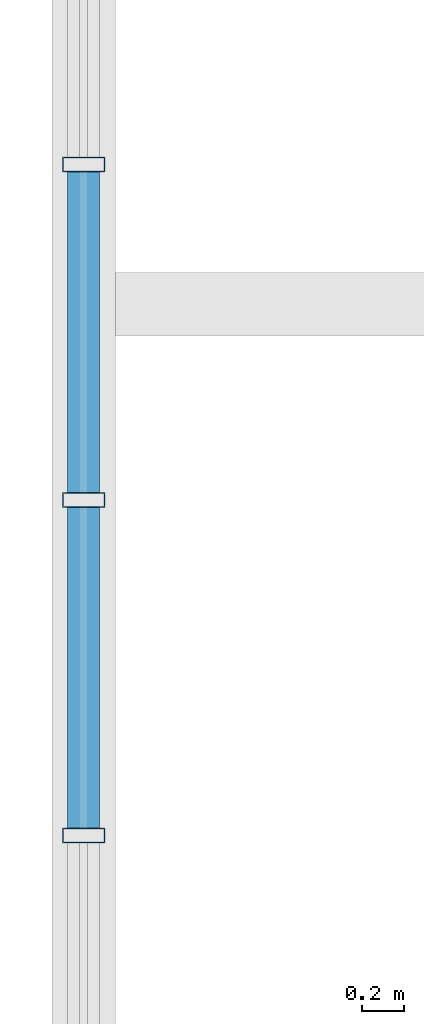
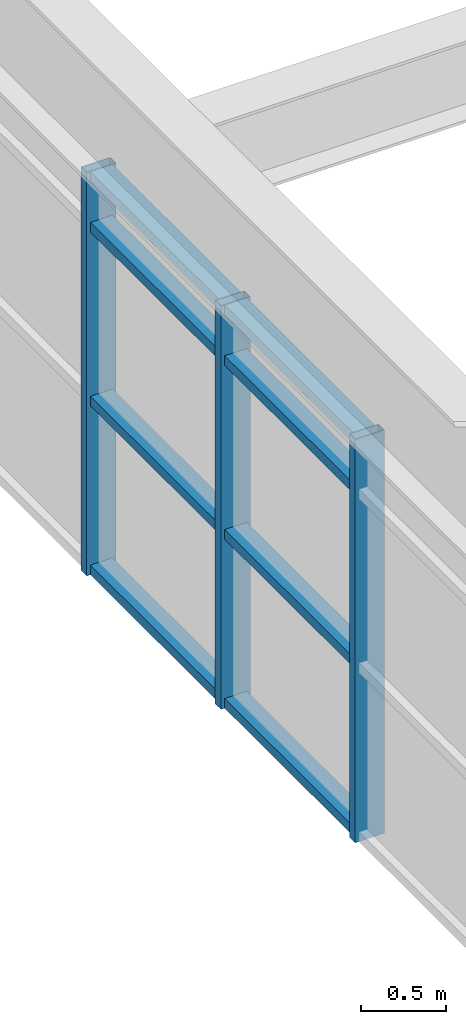
# One storey, part 9 of 28: 11 members, 1 element without a shape of its own.
"""IFC4 building model written with IfcOpenShell, lengths in metres."""

from ifc_helpers import new_model, si_unit, direction, frame, origin, origin_2d, place, context, subcontext, project, spatial, hollow_rectangle, extrude, source, transform, mapped, material, layer, layer_set, material_profile, profile_set, type_object, element, aggregate, save


model = new_model("IFC4")

# Units and contexts
model_context = context("Model", 3, precision=1e-05, world=origin(), true_north=direction((0.0, 1.0)))
body_context = subcontext(model_context, "Body", "Model", "MODEL_VIEW")
ifc_project = project(units=[si_unit("LENGTHUNIT", "METRE"), si_unit("AREAUNIT", "SQUARE_METRE"), si_unit("VOLUMEUNIT", "CUBIC_METRE"), si_unit("PLANEANGLEUNIT", "RADIAN"), si_unit("MASSUNIT", "GRAM", prefix="KILO")], contexts=[model_context])

# Site, building, storey
site_placement = place(None, origin())
site = spatial("IfcSite", under=ifc_project, at=site_placement, CompositionType="ELEMENT")
building_placement = place(site_placement, origin())
building = spatial("IfcBuilding", under=site, at=building_placement, Name="Saelheon Loggia Tower", CompositionType="ELEMENT")
storey_placement = place(building_placement, frame((0.0, 0.0, 271.199951171875)))
storey = spatial("IfcBuildingStorey", under=building, at=storey_placement, Name="CR6", CompositionType="ELEMENT", Elevation=271.199951171875)

# Curtain wall, members
ifc_material_1 = material(Name="Bronze-Anodised Aluminium and Fritted Ceramic Screen", Category="aluminium")
ifc_layer = layer(ifc_material_1, 0.219970703125)
ifc_layer_set = layer_set([ifc_layer], Name="Bronze-Anodised Aluminium and Fritted Ceramic Screen")
curtain_wall_type = type_object("IfcCurtainWallType", Name="CW_CrownScreen", PredefinedType="NOTDEFINED", material=ifc_layer_set)
curtain_wall_placement = place(storey_placement, origin())
curtain_wall = element("IfcCurtainWall", 1, at=curtain_wall_placement, inside=storey, type_object=curtain_wall_type, Name="CR6 Crown Screen Curtain Wall 9-2", PredefinedType="NOTDEFINED")
ifc_material_2 = material(Name="Bronze-Anodised Aluminium 6063-T6", Category="aluminium")
ifc_material_profile_1 = material_profile(ifc_material_2, hollow_rectangle(XDim=0.070068359375, YDim=0.14990234375, WallThickness=0.0048828125, at=origin_2d()), Name="RHS-150x70x5")
ifc_profile_set_1 = profile_set([ifc_material_profile_1], Name="Bronze-Anodised Aluminium 6063-T6")
member_type_1 = type_object("IfcMemberType", Name="CW_CrownScreen_Transom", PredefinedType="USERDEFINED", material=ifc_profile_set_1)
shared_shape_1 = source(origin(), body_context, "Body", "SweptSolid", [
    extrude(hollow_rectangle(XDim=0.070068359375, YDim=0.14990234375, WallThickness=0.0048828125, at=origin_2d()), origin(), (0.0, 0.0, 1.0), 1.51171875),
])
member_1_placement = place(storey_placement, frame((23.35009765625, 26.174072265625, 0.03515625), z_axis=(0.0, -1.0, 0.0), x_axis=(0.0, 0.0, 1.0)))
member_1 = element("IfcMember", 2, at=member_1_placement, type_object=member_type_1, Name="CW6 transom 7.1", ObjectType="TRANSOM", PredefinedType="USERDEFINED", context=body_context, shape_type="MappedRepresentation", body=[
    mapped(shared_shape_1, transform((0.0, 0.0, 0.0), scale=1.0)),
])
member_2_placement = place(storey_placement, frame((23.35009765625, 26.174072265625, 1.25), z_axis=(0.0, -1.0, 0.0), x_axis=(0.0, 0.0, 1.0)))
member_2 = element("IfcMember", 3, at=member_2_placement, type_object=member_type_1, Name="CW6 transom 7.2", ObjectType="TRANSOM", PredefinedType="USERDEFINED", context=body_context, shape_type="MappedRepresentation", body=[
    mapped(shared_shape_1, transform((0.0, 0.0, 0.0), scale=1.0)),
])
member_3_placement = place(storey_placement, frame((23.35009765625, 26.174072265625, 2.5), z_axis=(0.0, -1.0, 0.0), x_axis=(0.0, 0.0, 1.0)))
member_3 = element("IfcMember", 4, at=member_3_placement, type_object=member_type_1, Name="CW6 transom 7.3", ObjectType="TRANSOM", PredefinedType="USERDEFINED", context=body_context, shape_type="MappedRepresentation", body=[
    mapped(shared_shape_1, transform((0.0, 0.0, 0.0), scale=1.0)),
])
member_4_placement = place(storey_placement, frame((23.35009765625, 26.174072265625, 2.864990234375), z_axis=(0.0, -1.0, 0.0), x_axis=(0.0, 0.0, 1.0)))
member_4 = element("IfcMember", 5, at=member_4_placement, type_object=member_type_1, Name="CW6 transom 7.4", ObjectType="TRANSOM", PredefinedType="USERDEFINED", context=body_context, shape_type="MappedRepresentation", body=[
    mapped(shared_shape_1, transform((0.0, 0.0, 0.0), scale=1.0)),
])
member_5_placement = place(storey_placement, frame((23.35009765625, 24.59228515625, 0.03515625), z_axis=(0.0, -1.0, 0.0), x_axis=(0.0, 0.0, 1.0)))
member_5 = element("IfcMember", 6, at=member_5_placement, type_object=member_type_1, Name="CW6 transom 8.1", ObjectType="TRANSOM", PredefinedType="USERDEFINED", context=body_context, shape_type="MappedRepresentation", body=[
    mapped(shared_shape_1, transform((0.0, 0.0, 0.0), scale=1.0)),
])
member_6_placement = place(storey_placement, frame((23.35009765625, 24.59228515625, 1.25), z_axis=(0.0, -1.0, 0.0), x_axis=(0.0, 0.0, 1.0)))
member_6 = element("IfcMember", 7, at=member_6_placement, type_object=member_type_1, Name="CW6 transom 8.2", ObjectType="TRANSOM", PredefinedType="USERDEFINED", context=body_context, shape_type="MappedRepresentation", body=[
    mapped(shared_shape_1, transform((0.0, 0.0, 0.0), scale=1.0)),
])
member_7_placement = place(storey_placement, frame((23.35009765625, 24.59228515625, 2.5), z_axis=(0.0, -1.0, 0.0), x_axis=(0.0, 0.0, 1.0)))
member_7 = element("IfcMember", 8, at=member_7_placement, type_object=member_type_1, Name="CW6 transom 8.3", ObjectType="TRANSOM", PredefinedType="USERDEFINED", context=body_context, shape_type="MappedRepresentation", body=[
    mapped(shared_shape_1, transform((0.0, 0.0, 0.0), scale=1.0)),
])
member_8_placement = place(storey_placement, frame((23.35009765625, 24.59228515625, 2.864990234375), z_axis=(0.0, -1.0, 0.0), x_axis=(0.0, 0.0, 1.0)))
member_8 = element("IfcMember", 9, at=member_8_placement, type_object=member_type_1, Name="CW6 transom 8.4", ObjectType="TRANSOM", PredefinedType="USERDEFINED", context=body_context, shape_type="MappedRepresentation", body=[
    mapped(shared_shape_1, transform((0.0, 0.0, 0.0), scale=1.0)),
])
ifc_material_profile_2 = material_profile(ifc_material_2, hollow_rectangle(XDim=0.070068359375, YDim=0.199951171875, WallThickness=0.0048828125, at=origin_2d()), Name="RHS-200x70x5")
ifc_profile_set_2 = profile_set([ifc_material_profile_2], Name="Bronze-Anodised Aluminium 6063-T6")
member_type_2 = type_object("IfcMemberType", Name="CW_CrownScreen_Mullion", PredefinedType="MULLION", material=ifc_profile_set_2)
shared_shape_2 = source(origin(), body_context, "Body", "SweptSolid", [
    extrude(hollow_rectangle(XDim=0.070068359375, YDim=0.199951171875, WallThickness=0.0048828125, at=origin_2d()), origin(), (0.0, 0.0, 1.0), 2.900146484375),
])
member_9_placement = place(storey_placement, frame((23.35009765625, 26.208984375, 0.0), z_axis=(0.0, 0.0, 1.0), x_axis=(0.0, -1.0, 0.0)))
member_9 = element("IfcMember", 10, at=member_9_placement, type_object=member_type_2, Name="CW6 mullion 7", PredefinedType="MULLION", context=body_context, shape_type="MappedRepresentation", body=[
    mapped(shared_shape_2, transform((0.0, 0.0, 0.0), scale=1.0)),
])
member_10_placement = place(storey_placement, frame((23.35009765625, 24.627197265625, 0.0), z_axis=(0.0, 0.0, 1.0), x_axis=(0.0, -1.0, 0.0)))
member_10 = element("IfcMember", 11, at=member_10_placement, type_object=member_type_2, Name="CW6 mullion 8", PredefinedType="MULLION", context=body_context, shape_type="MappedRepresentation", body=[
    mapped(shared_shape_2, transform((0.0, 0.0, 0.0), scale=1.0)),
])
member_11_placement = place(storey_placement, frame((23.35009765625, 23.04541015625, 0.0), z_axis=(0.0, 0.0, 1.0), x_axis=(0.0, -1.0, 0.0)))
member_11 = element("IfcMember", 12, at=member_11_placement, type_object=member_type_2, Name="CW6 mullion 9", PredefinedType="MULLION", context=body_context, shape_type="MappedRepresentation", body=[
    mapped(shared_shape_2, transform((0.0, 0.0, 0.0), scale=1.0)),
])
aggregate(curtain_wall, [member_9, member_10, member_11, member_1, member_2, member_3, member_4, member_5, member_6, member_7, member_8])

save(model, "model.ifc")
